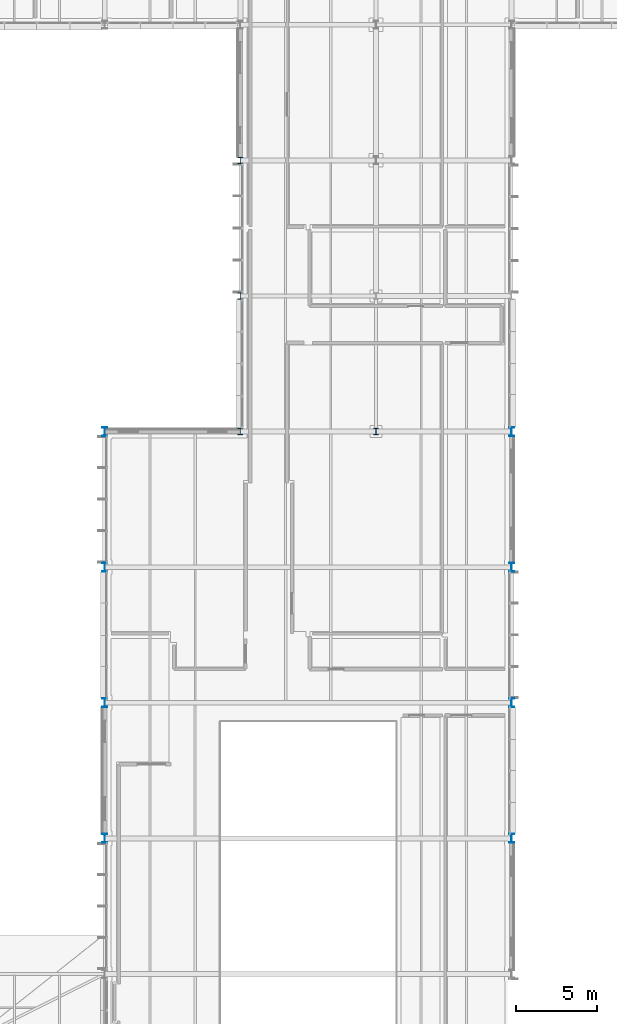
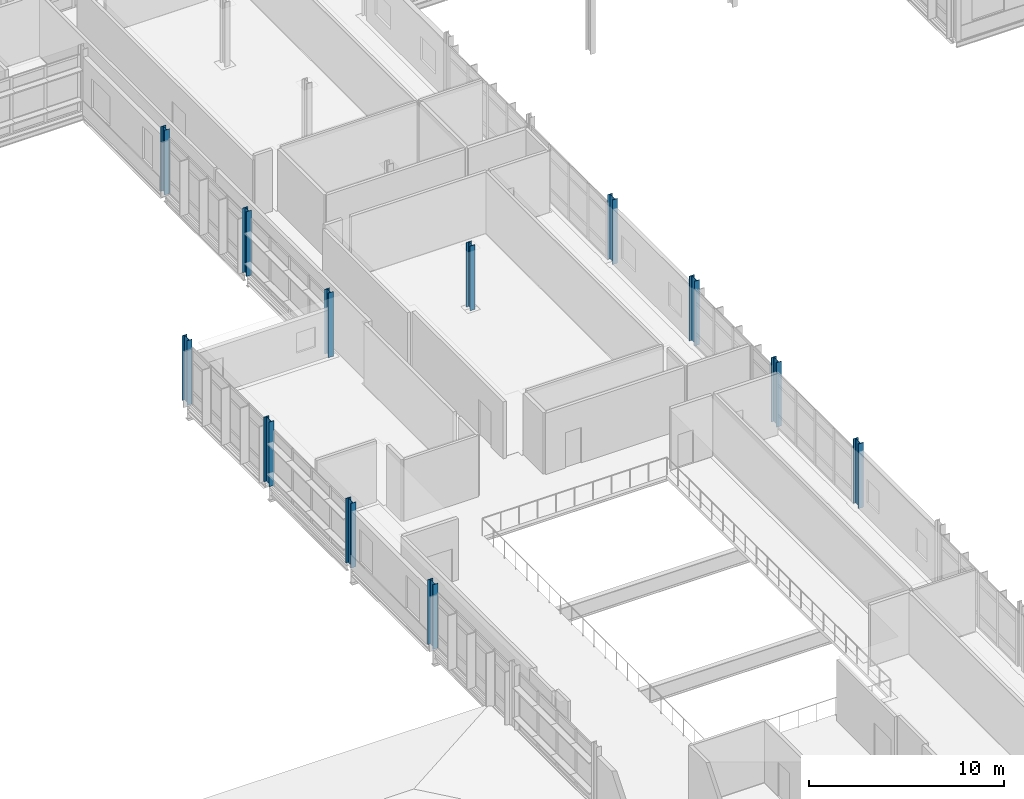
# One storey, part 8 of 151: 12 columns.
"""IFC4 building model written with IfcOpenShell, lengths in metres."""

from ifc_helpers import new_model, si_unit, direction, frame, origin, origin_2d, place, context, subcontext, project, spatial, i_section, extrude, material, material_profile, profile_set, type_object, element, save


model = new_model("IFC4")

# Units and contexts
model_context = context("Model", 3, precision=1e-05, world=origin(), true_north=direction((0.0, 1.0)))
body_context = subcontext(model_context, "Body", "Model", "MODEL_VIEW")
ifc_project = project(units=[si_unit("LENGTHUNIT", "METRE"), si_unit("AREAUNIT", "SQUARE_METRE"), si_unit("VOLUMEUNIT", "CUBIC_METRE"), si_unit("PLANEANGLEUNIT", "RADIAN"), si_unit("MASSUNIT", "GRAM", prefix="KILO")], contexts=[model_context])

# Site, building, storey
site_placement = place(None, origin())
site = spatial("IfcSite", under=ifc_project, at=site_placement, CompositionType="ELEMENT")
building_placement = place(site_placement, origin())
building = spatial("IfcBuilding", under=site, at=building_placement, Name="Mersafa Astral City Hall", CompositionType="ELEMENT")
storey_placement = place(building_placement, frame((0.0, 0.0, 9.89990234375)))
storey = spatial("IfcBuildingStorey", under=building, at=storey_placement, Name="L02", CompositionType="ELEMENT", Elevation=9.89990234375)

# Columns
ifc_material = material(Name="Steel S355", Category="steel")
ifc_material_profile_1 = material_profile(ifc_material, i_section(OverallWidth=0.300048828125, OverallDepth=0.39990234375, WebThickness=0.013427734375, FlangeThickness=0.02392578125, FilletRadius=0.027099609375, at=origin_2d()), Name="HEB 400")
ifc_profile_set_1 = profile_set([ifc_material_profile_1], Name="Steel S355")
column_type_1 = type_object("IfcColumnType", Name="STR-COL-HEB400", PredefinedType="COLUMN", material=ifc_profile_set_1)
for number, where, z_axis, x_axis, name in (
    (1, (100.800048828125, 92.39990234375, 0.0), (0.0, 0.0, 1.0), (1.0, 0.0, 0.0), "L02 Structural column G-12-11"),
    (2, (100.800048828125, 100.800048828125, 0.0), (0.0, 0.0, 1.0), (1.0, 0.0, 0.0), "L02 Structural column G-12-12"),
    (3, (100.800048828125, 109.199951171875, 0.0), (0.0, 0.0, 1.0), (1.0, 0.0, 0.0), "L02 Structural column G-12-13"),
    (4, (109.199951171875, 92.39990234375, 0.0), (0.0, 0.0, 1.0), (1.0, 0.0, 0.0), "L02 Structural column G-13-11"),
):
    element("IfcColumn", number, at=place(storey_placement, frame(where, z_axis=z_axis, x_axis=x_axis)), inside=storey, type_object=column_type_1, Name=name, PredefinedType="COLUMN", context=body_context, shape_type="SweptSolid", body=[
        extrude(i_section(OverallWidth=0.300048828125, OverallDepth=0.39990234375, WebThickness=0.013427734375, FlangeThickness=0.02392578125, FilletRadius=0.027099609375, at=origin_2d()), origin(), (0.0, 0.0, 1.0), 4.050048828125),
    ])
ifc_material_profile_2 = material_profile(ifc_material, i_section(OverallWidth=0.300048828125, OverallDepth=0.550048828125, WebThickness=0.014892578125, FlangeThickness=0.029052734375, FilletRadius=0.027099609375, at=origin_2d()), Name="HEB 550")
ifc_profile_set_2 = profile_set([ifc_material_profile_2], Name="Steel S355")
column_type_2 = type_object("IfcColumnType", Name="STR-COL-HEB550", PredefinedType="COLUMN", material=ifc_profile_set_2)
for number, where, z_axis, x_axis, name in (
    (5, (92.39990234375, 67.199951171875, 0.0), (0.0, 0.0, 1.0), (1.0, 0.0, 0.0), "L02 Structural column G-11-08"),
    (6, (92.39990234375, 75.60009765625, 0.0), (0.0, 0.0, 1.0), (1.0, 0.0, 0.0), "L02 Structural column G-11-09"),
    (7, (92.39990234375, 84.0, 0.0), (0.0, 0.0, 1.0), (1.0, 0.0, 0.0), "L02 Structural column G-11-10"),
    (8, (92.39990234375, 92.39990234375, 0.0), (0.0, 0.0, 1.0), (1.0, 0.0, 0.0), "L02 Structural column G-11-11"),
    (9, (117.60009765625, 67.199951171875, 0.0), (0.0, 0.0, 1.0), (1.0, 0.0, 0.0), "L02 Structural column G-14-08"),
    (10, (117.60009765625, 75.60009765625, 0.0), (0.0, 0.0, 1.0), (1.0, 0.0, 0.0), "L02 Structural column G-14-09"),
    (11, (117.60009765625, 84.0, 0.0), (0.0, 0.0, 1.0), (1.0, 0.0, 0.0), "L02 Structural column G-14-10"),
    (12, (117.60009765625, 92.39990234375, 0.0), (0.0, 0.0, 1.0), (1.0, 0.0, 0.0), "L02 Structural column G-14-11"),
):
    element("IfcColumn", number, at=place(storey_placement, frame(where, z_axis=z_axis, x_axis=x_axis)), inside=storey, type_object=column_type_2, Name=name, PredefinedType="COLUMN", context=body_context, shape_type="SweptSolid", body=[
        extrude(i_section(OverallWidth=0.300048828125, OverallDepth=0.550048828125, WebThickness=0.014892578125, FlangeThickness=0.029052734375, FilletRadius=0.027099609375, at=origin_2d()), origin(), (0.0, 0.0, 1.0), 4.050048828125),
    ])

save(model, "model.ifc")
